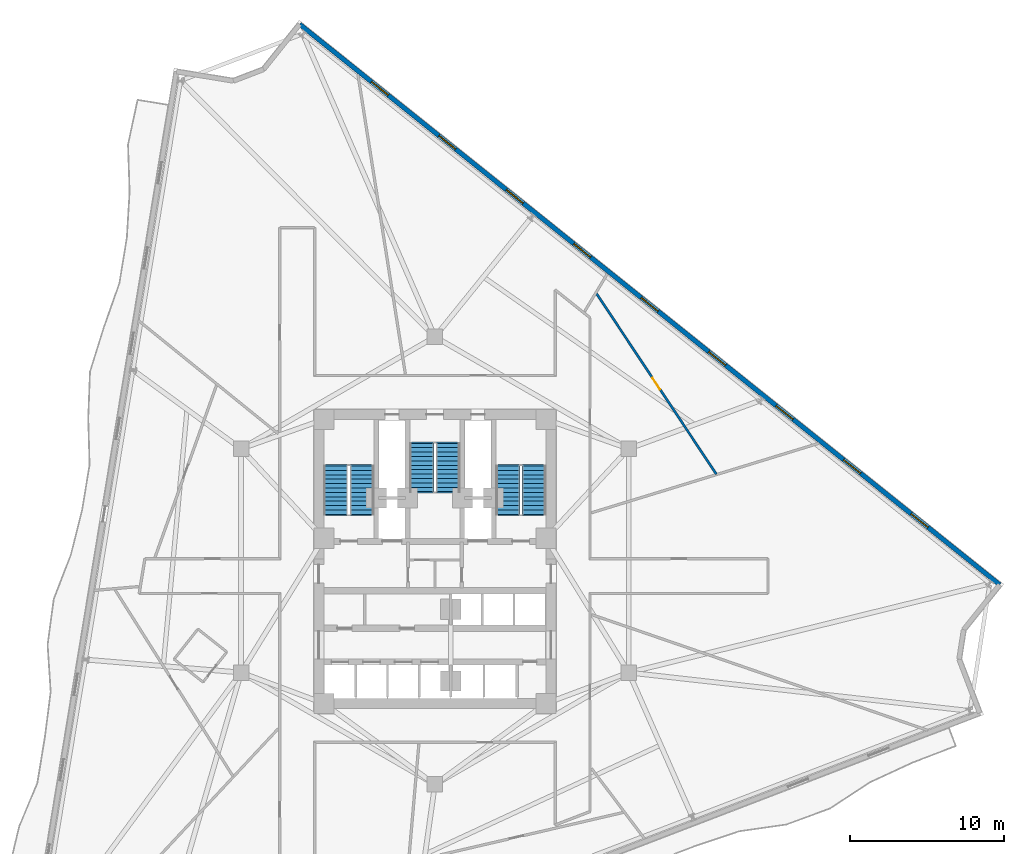
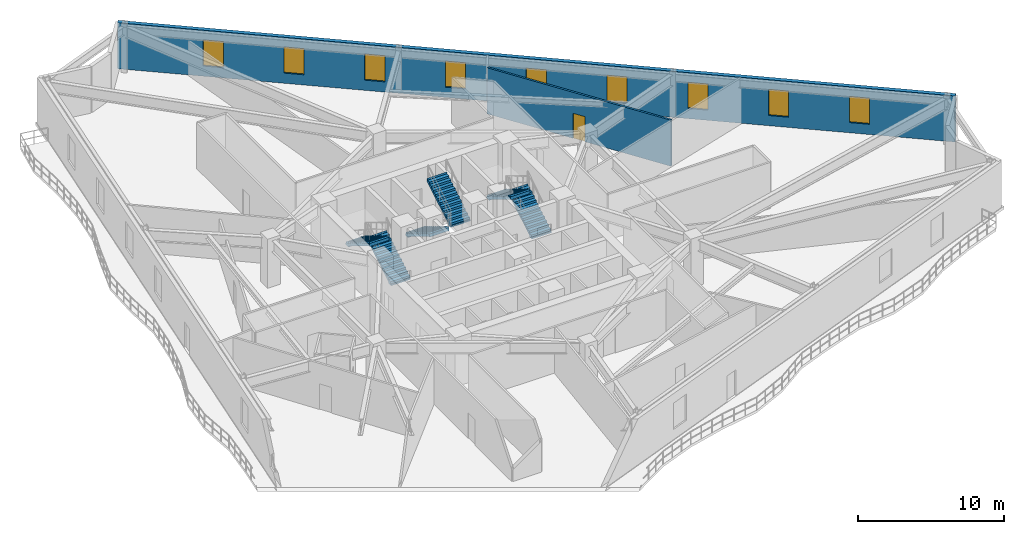
# One storey, part 7 of 10: 9 windows, 6 stair flights, 2 walls, 1 door, 10 openings, 3 elements without a shape of their own.
"""IFC4 building model written with IfcOpenShell, lengths in metres."""

from ifc_helpers import new_model, si_unit, direction, frame, frame_2d, origin, place, context, subcontext, project, spatial, polyline, rectangle, outline, extrude, material, layer, layer_set, type_object, element, fill, aggregate, save


model = new_model("IFC4")

# Units and contexts
model_context = context("Model", 3, precision=1e-05, world=origin(), true_north=direction((0.0, 1.0)))
body_context = subcontext(model_context, "Body", "Model", "MODEL_VIEW")
ifc_project = project(units=[si_unit("LENGTHUNIT", "METRE"), si_unit("AREAUNIT", "SQUARE_METRE"), si_unit("VOLUMEUNIT", "CUBIC_METRE"), si_unit("PLANEANGLEUNIT", "RADIAN"), si_unit("MASSUNIT", "GRAM", prefix="KILO")], contexts=[model_context])

# Site, building, storey
site_placement = place(None, origin())
site = spatial("IfcSite", under=ifc_project, at=site_placement, CompositionType="ELEMENT")
building_placement = place(site_placement, origin())
building = spatial("IfcBuilding", under=site, at=building_placement, Name="Apsidion Concourse Tower", CompositionType="ELEMENT")
storey_placement = place(building_placement, frame((0.0, 0.0, 144.5)))
storey = spatial("IfcBuildingStorey", under=building, at=storey_placement, Name="L33", CompositionType="ELEMENT", Elevation=144.5)

# Wall, openings, windows
ifc_material_1 = material(Name="Precast concrete C40/50", Category="concrete")
ifc_layer_1 = layer(ifc_material_1, 0.300048828125)
ifc_layer_set_1 = layer_set([ifc_layer_1], Name="Precast concrete C40/50")
wall_type_1 = type_object("IfcWallType", Name="WL-EXT-300", PredefinedType="STANDARD", material=ifc_layer_set_1)
wall_1_placement = place(storey_placement, frame((-8.76171875, 34.748291015625, 0.0), z_axis=(0.0, 0.0, 1.0), x_axis=(0.780669916438, -0.624943582708, 0.0)))
wall_1 = element("IfcWall", 1, at=wall_1_placement, inside=storey, type_object=wall_type_1, Name="L33 Precast Stone Facade Wall 01", PredefinedType="STANDARD", context=body_context, shape_type="SweptSolid", body=[
    extrude(rectangle(XDim=58.093017578125, YDim=0.300048828125, at=frame_2d((29.04638671875, 0.0))), origin(), (0.0, 0.0, 1.0), 3.85009765625),
])
opening_1_placement = place(wall_1_placement, frame((5.946533203125, 0.0, 0.85009765625)))
opening_1 = element("IfcOpeningElement", 2, at=opening_1_placement, cuts=wall_1, Name="Opening WN-05", PredefinedType="OPENING", context=body_context, shape_type="SweptSolid", body=[
    extrude(rectangle(XDim=1.39990234375, YDim=2.199951171875, at=frame_2d((0.699951171875, 1.10009765625))), frame((0.0, 0.16015625, 0.0), z_axis=(0.0, -1.0, 0.0), x_axis=(1.0, 0.0, 0.0)), (0.0, 0.0, 1.0), 0.320068359375),
])
opening_2_placement = place(wall_1_placement, frame((11.546630859375, 0.0, 0.85009765625)))
opening_2 = element("IfcOpeningElement", 3, at=opening_2_placement, cuts=wall_1, Name="Opening WN-05", PredefinedType="OPENING", context=body_context, shape_type="SweptSolid", body=[
    extrude(rectangle(XDim=1.39990234375, YDim=2.199951171875, at=frame_2d((0.699951171875, 1.10009765625))), frame((0.0, 0.16015625, 0.0), z_axis=(0.0, -1.0, 0.0), x_axis=(1.0, 0.0, 0.0)), (0.0, 0.0, 1.0), 0.320068359375),
])
opening_3_placement = place(wall_1_placement, frame((17.146484375, 0.0, 0.85009765625)))
opening_3 = element("IfcOpeningElement", 4, at=opening_3_placement, cuts=wall_1, Name="Opening WN-05", PredefinedType="OPENING", context=body_context, shape_type="SweptSolid", body=[
    extrude(rectangle(XDim=1.39990234375, YDim=2.199951171875, at=frame_2d((0.699951171875, 1.10009765625))), frame((0.0, 0.16015625, 0.0), z_axis=(0.0, -1.0, 0.0), x_axis=(1.0, 0.0, 0.0)), (0.0, 0.0, 1.0), 0.320068359375),
])
opening_4_placement = place(wall_1_placement, frame((22.74658203125, 0.0, 0.85009765625)))
opening_4 = element("IfcOpeningElement", 5, at=opening_4_placement, cuts=wall_1, Name="Opening WN-05", PredefinedType="OPENING", context=body_context, shape_type="SweptSolid", body=[
    extrude(rectangle(XDim=1.39990234375, YDim=2.199951171875, at=frame_2d((0.699951171875, 1.10009765625))), frame((0.0, 0.16015625, 0.0), z_axis=(0.0, -1.0, 0.0), x_axis=(1.0, 0.0, 0.0)), (0.0, 0.0, 1.0), 0.320068359375),
])
opening_5_placement = place(wall_1_placement, frame((28.3466796875, 0.0, 0.85009765625)))
opening_5 = element("IfcOpeningElement", 6, at=opening_5_placement, cuts=wall_1, Name="Opening WN-05", PredefinedType="OPENING", context=body_context, shape_type="SweptSolid", body=[
    extrude(rectangle(XDim=1.39990234375, YDim=2.199951171875, at=frame_2d((0.699951171875, 1.10009765625))), frame((0.0, 0.16015625, 0.0), z_axis=(0.0, -1.0, 0.0), x_axis=(1.0, 0.0, 0.0)), (0.0, 0.0, 1.0), 0.320068359375),
])
opening_6_placement = place(wall_1_placement, frame((33.946533203125, 0.0, 0.85009765625)))
opening_6 = element("IfcOpeningElement", 7, at=opening_6_placement, cuts=wall_1, Name="Opening WN-05", PredefinedType="OPENING", context=body_context, shape_type="SweptSolid", body=[
    extrude(rectangle(XDim=1.39990234375, YDim=2.199951171875, at=frame_2d((0.699951171875, 1.10009765625))), frame((0.0, 0.16015625, 0.0), z_axis=(0.0, -1.0, 0.0), x_axis=(1.0, 0.0, 0.0)), (0.0, 0.0, 1.0), 0.320068359375),
])
opening_7_placement = place(wall_1_placement, frame((39.546630859375, 0.0, 0.85009765625)))
opening_7 = element("IfcOpeningElement", 8, at=opening_7_placement, cuts=wall_1, Name="Opening WN-05", PredefinedType="OPENING", context=body_context, shape_type="SweptSolid", body=[
    extrude(rectangle(XDim=1.39990234375, YDim=2.199951171875, at=frame_2d((0.699951171875, 1.10009765625))), frame((0.0, 0.16015625, 0.0), z_axis=(0.0, -1.0, 0.0), x_axis=(1.0, 0.0, 0.0)), (0.0, 0.0, 1.0), 0.320068359375),
])
opening_8_placement = place(wall_1_placement, frame((45.146484375, 0.0, 0.85009765625)))
opening_8 = element("IfcOpeningElement", 9, at=opening_8_placement, cuts=wall_1, Name="Opening WN-05", PredefinedType="OPENING", context=body_context, shape_type="SweptSolid", body=[
    extrude(rectangle(XDim=1.39990234375, YDim=2.199951171875, at=frame_2d((0.699951171875, 1.10009765625))), frame((0.0, 0.16015625, 0.0), z_axis=(0.0, -1.0, 0.0), x_axis=(1.0, 0.0, 0.0)), (0.0, 0.0, 1.0), 0.320068359375),
])
opening_9_placement = place(wall_1_placement, frame((50.74658203125, 0.0, 0.85009765625)))
opening_9 = element("IfcOpeningElement", 10, at=opening_9_placement, cuts=wall_1, Name="Opening WN-05", PredefinedType="OPENING", context=body_context, shape_type="SweptSolid", body=[
    extrude(rectangle(XDim=1.39990234375, YDim=2.199951171875, at=frame_2d((0.699951171875, 1.10009765625))), frame((0.0, 0.16015625, 0.0), z_axis=(0.0, -1.0, 0.0), x_axis=(1.0, 0.0, 0.0)), (0.0, 0.0, 1.0), 0.320068359375),
])
ifc_material_2 = material(Name="Insulated laminated low-E glass", Category="glass")
window_type = type_object("IfcWindowType", Name="WN-OFF-1424", PartitioningType="SINGLE_PANEL", PredefinedType="WINDOW", material=ifc_material_2)
window_1_placement = place(opening_1_placement, origin())
window_1 = element("IfcWindow", 11, at=window_1_placement, inside=storey, type_object=window_type, Name="L33 Punched Facade Window 1-01", OverallHeight=2.199951171875, OverallWidth=1.39990234375, PartitioningType="SINGLE_PANEL", PredefinedType="WINDOW", context=body_context, shape_type="SweptSolid", body=[
    extrude(rectangle(XDim=1.39990234375, YDim=2.199951171875, at=frame_2d((0.699951171875, 1.10009765625))), frame((0.0, 0.030029296875, 0.0), z_axis=(0.0, -1.0, 0.0), x_axis=(1.0, 0.0, 0.0)), (0.0, 0.0, 1.0), 0.06005859375),
])
fill(opening_1, window_1)
window_2_placement = place(opening_2_placement, origin())
window_2 = element("IfcWindow", 12, at=window_2_placement, inside=storey, type_object=window_type, Name="L33 Punched Facade Window 1-02", OverallHeight=2.199951171875, OverallWidth=1.39990234375, PartitioningType="SINGLE_PANEL", PredefinedType="WINDOW", context=body_context, shape_type="SweptSolid", body=[
    extrude(rectangle(XDim=1.39990234375, YDim=2.199951171875, at=frame_2d((0.699951171875, 1.10009765625))), frame((0.0, 0.030029296875, 0.0), z_axis=(0.0, -1.0, 0.0), x_axis=(1.0, 0.0, 0.0)), (0.0, 0.0, 1.0), 0.06005859375),
])
fill(opening_2, window_2)
window_3_placement = place(opening_3_placement, origin())
window_3 = element("IfcWindow", 13, at=window_3_placement, inside=storey, type_object=window_type, Name="L33 Punched Facade Window 1-03", OverallHeight=2.199951171875, OverallWidth=1.39990234375, PartitioningType="SINGLE_PANEL", PredefinedType="WINDOW", context=body_context, shape_type="SweptSolid", body=[
    extrude(rectangle(XDim=1.39990234375, YDim=2.199951171875, at=frame_2d((0.699951171875, 1.10009765625))), frame((0.0, 0.030029296875, 0.0), z_axis=(0.0, -1.0, 0.0), x_axis=(1.0, 0.0, 0.0)), (0.0, 0.0, 1.0), 0.06005859375),
])
fill(opening_3, window_3)
window_4_placement = place(opening_4_placement, origin())
window_4 = element("IfcWindow", 14, at=window_4_placement, inside=storey, type_object=window_type, Name="L33 Punched Facade Window 1-04", OverallHeight=2.199951171875, OverallWidth=1.39990234375, PartitioningType="SINGLE_PANEL", PredefinedType="WINDOW", context=body_context, shape_type="SweptSolid", body=[
    extrude(rectangle(XDim=1.39990234375, YDim=2.199951171875, at=frame_2d((0.699951171875, 1.10009765625))), frame((0.0, 0.030029296875, 0.0), z_axis=(0.0, -1.0, 0.0), x_axis=(1.0, 0.0, 0.0)), (0.0, 0.0, 1.0), 0.06005859375),
])
fill(opening_4, window_4)
window_5_placement = place(opening_5_placement, origin())
window_5 = element("IfcWindow", 15, at=window_5_placement, inside=storey, type_object=window_type, Name="L33 Punched Facade Window 1-05", OverallHeight=2.199951171875, OverallWidth=1.39990234375, PartitioningType="SINGLE_PANEL", PredefinedType="WINDOW", context=body_context, shape_type="SweptSolid", body=[
    extrude(rectangle(XDim=1.39990234375, YDim=2.199951171875, at=frame_2d((0.699951171875, 1.10009765625))), frame((0.0, 0.030029296875, 0.0), z_axis=(0.0, -1.0, 0.0), x_axis=(1.0, 0.0, 0.0)), (0.0, 0.0, 1.0), 0.06005859375),
])
fill(opening_5, window_5)
window_6_placement = place(opening_6_placement, origin())
window_6 = element("IfcWindow", 16, at=window_6_placement, inside=storey, type_object=window_type, Name="L33 Punched Facade Window 1-06", OverallHeight=2.199951171875, OverallWidth=1.39990234375, PartitioningType="SINGLE_PANEL", PredefinedType="WINDOW", context=body_context, shape_type="SweptSolid", body=[
    extrude(rectangle(XDim=1.39990234375, YDim=2.199951171875, at=frame_2d((0.699951171875, 1.10009765625))), frame((0.0, 0.030029296875, 0.0), z_axis=(0.0, -1.0, 0.0), x_axis=(1.0, 0.0, 0.0)), (0.0, 0.0, 1.0), 0.06005859375),
])
fill(opening_6, window_6)
window_7_placement = place(opening_7_placement, origin())
window_7 = element("IfcWindow", 17, at=window_7_placement, inside=storey, type_object=window_type, Name="L33 Punched Facade Window 1-07", OverallHeight=2.199951171875, OverallWidth=1.39990234375, PartitioningType="SINGLE_PANEL", PredefinedType="WINDOW", context=body_context, shape_type="SweptSolid", body=[
    extrude(rectangle(XDim=1.39990234375, YDim=2.199951171875, at=frame_2d((0.699951171875, 1.10009765625))), frame((0.0, 0.030029296875, 0.0), z_axis=(0.0, -1.0, 0.0), x_axis=(1.0, 0.0, 0.0)), (0.0, 0.0, 1.0), 0.06005859375),
])
fill(opening_7, window_7)
window_8_placement = place(opening_8_placement, origin())
window_8 = element("IfcWindow", 18, at=window_8_placement, inside=storey, type_object=window_type, Name="L33 Punched Facade Window 1-08", OverallHeight=2.199951171875, OverallWidth=1.39990234375, PartitioningType="SINGLE_PANEL", PredefinedType="WINDOW", context=body_context, shape_type="SweptSolid", body=[
    extrude(rectangle(XDim=1.39990234375, YDim=2.199951171875, at=frame_2d((0.699951171875, 1.10009765625))), frame((0.0, 0.030029296875, 0.0), z_axis=(0.0, -1.0, 0.0), x_axis=(1.0, 0.0, 0.0)), (0.0, 0.0, 1.0), 0.06005859375),
])
fill(opening_8, window_8)
window_9_placement = place(opening_9_placement, origin())
window_9 = element("IfcWindow", 19, at=window_9_placement, inside=storey, type_object=window_type, Name="L33 Punched Facade Window 1-09", OverallHeight=2.199951171875, OverallWidth=1.39990234375, PartitioningType="SINGLE_PANEL", PredefinedType="WINDOW", context=body_context, shape_type="SweptSolid", body=[
    extrude(rectangle(XDim=1.39990234375, YDim=2.199951171875, at=frame_2d((0.699951171875, 1.10009765625))), frame((0.0, 0.030029296875, 0.0), z_axis=(0.0, -1.0, 0.0), x_axis=(1.0, 0.0, 0.0)), (0.0, 0.0, 1.0), 0.06005859375),
])
fill(opening_9, window_9)

# Wall, opening, door
ifc_material_3 = material(Name="Gypsum plasterboard partition")
ifc_layer_2 = layer(ifc_material_3, 0.14990234375)
ifc_layer_set_2 = layer_set([ifc_layer_2], Name="Gypsum plasterboard partition")
wall_type_2 = type_object("IfcWallType", Name="WL-INT-PAR-150", PredefinedType="PARTITIONING", material=ifc_layer_set_2)
wall_2_placement = place(storey_placement, frame((18.232666015625, 5.600341796875, 0.0), z_axis=(0.0, 0.0, 1.0), x_axis=(-0.552746716733, 0.833349306798, 0.0)))
wall_2 = element("IfcWall", 20, at=wall_2_placement, inside=storey, type_object=wall_type_2, Name="L33 Interior Partition WL-L33-CHD-OFS05", PredefinedType="PARTITIONING", context=body_context, shape_type="SweptSolid", body=[
    extrude(rectangle(XDim=14.08544921875, YDim=0.14990234375, at=frame_2d((7.042724609375, 0.0))), origin(), (0.0, 0.0, 1.0), 3.85009765625),
])
opening_10_placement = place(wall_2_placement, frame((6.592529296875, 0.0, 0.0)))
opening_10 = element("IfcOpeningElement", 21, at=opening_10_placement, cuts=wall_2, Name="Opening D-02R", PredefinedType="OPENING", context=body_context, shape_type="SweptSolid", body=[
    extrude(rectangle(XDim=0.89990234375, YDim=2.10009765625, at=frame_2d((0.449951171875, 1.050048828125))), frame((0.0, 0.0849609375, 0.0), z_axis=(0.0, -1.0, 0.0), x_axis=(1.0, 0.0, 0.0)), (0.0, 0.0, 1.0), 0.169921875),
])
ifc_material_4 = material(Name="Anodised aluminium EN AW-6063 T6", Category="aluminium")
door_type = type_object("IfcDoorType", Name="DR-INT-D02R", OperationType="SINGLE_SWING_RIGHT", PredefinedType="DOOR", material=ifc_material_4)
door_placement = place(opening_10_placement, origin())
door = element("IfcDoor", 22, at=door_placement, inside=storey, type_object=door_type, Name="L33 Suite Connecting Door OFS05", OperationType="SINGLE_SWING_RIGHT", OverallHeight=2.10009765625, OverallWidth=0.89990234375, PredefinedType="DOOR", context=body_context, shape_type="SweptSolid", body=[
    extrude(rectangle(XDim=0.89990234375, YDim=2.10009765625, at=frame_2d((0.449951171875, 1.050048828125))), frame((0.0, 0.02490234375, 0.0), z_axis=(0.0, -1.0, 0.0), x_axis=(1.0, 0.0, 0.0)), (0.0, 0.0, 1.0), 0.050048828125),
])
fill(opening_10, door)

# Stair, stair flights
stair_type = type_object("IfcStairType", Name="ST-DL-1550", PredefinedType="HALF_TURN_STAIR", material=ifc_material_1)
stair_1_placement = place(storey_placement, origin())
stair_1 = element("IfcStair", 23, at=stair_1_placement, inside=storey, type_object=stair_type, Name="L33 Protected Core Exit Stair ST1", PredefinedType="HALF_TURN_STAIR")
stair_flight_type = type_object("IfcStairFlightType", Name="SFL-RC-1550", PredefinedType="STRAIGHT", material=ifc_material_1)
stair_flight_1_placement = place(storey_placement, frame((-4.72509765625, 3.0, 0.0), z_axis=(0.0, 0.0, 1.0), x_axis=(0.0, 1.0, 0.0)))
stair_flight_1 = element("IfcStairFlight", 24, at=stair_flight_1_placement, type_object=stair_flight_type, Name="ST1 flight 1", NumberOfRisers=12, NumberOfTreads=11, PredefinedType="STRAIGHT", RiserHeight=0.170833333, TreadLength=0.285, context=body_context, shape_type="SweptSolid", body=[
    extrude(outline(polyline([(-0.080078125, -0.1123046875), (-0.080078125, 0.0), (0.0, 0.0), (0.0, 0.1708984375), (0.284912109375, 0.1708984375), (0.284912109375, 0.341552734375), (0.570068359375, 0.341552734375), (0.570068359375, 0.512451171875), (0.85498046875, 0.512451171875), (0.85498046875, 0.683349609375), (1.139892578125, 0.683349609375), (1.139892578125, 0.854248046875), (1.425048828125, 0.854248046875), (1.425048828125, 1.02490234375), (1.7099609375, 1.02490234375), (1.7099609375, 1.19580078125), (1.9951171875, 1.19580078125), (1.9951171875, 1.36669921875), (2.280029296875, 1.36669921875), (2.280029296875, 1.53759765625), (2.56494140625, 1.53759765625), (2.56494140625, 1.708251953125), (2.85009765625, 1.708251953125), (2.85009765625, 1.879150390625), (3.135009765625, 1.879150390625), (3.135009765625, 2.050048828125), (3.215087890625, 1.964599609375), (3.215087890625, 1.704345703125), (3.135009765625, 1.704345703125), (0.29150390625, 0.0), (0.29150390625, -0.1123046875), (-0.080078125, -0.1123046875)])), frame((0.0, 0.77490234375, 0.0), z_axis=(0.0, -1.0, 0.0), x_axis=(1.0, 0.0, 0.0)), (0.0, 0.0, 1.0), 1.550048828125),
])
stair_flight_2_placement = place(storey_placement, frame((-6.425048828125, 6.135009765625, 2.050048828125), z_axis=(0.0, 0.0, 1.0), x_axis=(0.0, -1.0, 0.0)))
stair_flight_2 = element("IfcStairFlight", 25, at=stair_flight_2_placement, type_object=stair_flight_type, Name="ST1 flight 2", NumberOfRisers=12, NumberOfTreads=11, PredefinedType="STRAIGHT", RiserHeight=0.170833333, TreadLength=0.285, context=body_context, shape_type="SweptSolid", body=[
    extrude(outline(polyline([(-0.080078125, -0.1123046875), (-0.080078125, 0.0), (0.0, 0.0), (0.0, 0.1708984375), (0.284912109375, 0.1708984375), (0.284912109375, 0.341552734375), (0.570068359375, 0.341552734375), (0.570068359375, 0.512451171875), (0.85498046875, 0.512451171875), (0.85498046875, 0.683349609375), (1.139892578125, 0.683349609375), (1.139892578125, 0.854248046875), (1.425048828125, 0.854248046875), (1.425048828125, 1.02490234375), (1.7099609375, 1.02490234375), (1.7099609375, 1.19580078125), (1.9951171875, 1.19580078125), (1.9951171875, 1.36669921875), (2.280029296875, 1.36669921875), (2.280029296875, 1.53759765625), (2.56494140625, 1.53759765625), (2.56494140625, 1.708251953125), (2.85009765625, 1.708251953125), (2.85009765625, 1.879150390625), (3.135009765625, 1.879150390625), (3.135009765625, 2.050048828125), (3.215087890625, 1.964599609375), (3.215087890625, 1.704345703125), (3.135009765625, 1.704345703125), (0.29150390625, 0.0), (0.29150390625, -0.1123046875), (-0.080078125, -0.1123046875)])), frame((0.0, 0.77490234375, 0.0), z_axis=(0.0, -1.0, 0.0), x_axis=(1.0, 0.0, 0.0)), (0.0, 0.0, 1.0), 1.550048828125),
])
aggregate(stair_1, [stair_flight_1, stair_flight_2])

stair_2_placement = place(storey_placement, origin())
stair_2 = element("IfcStair", 26, at=stair_2_placement, inside=storey, type_object=stair_type, Name="L33 Protected Core Exit Stair ST2", PredefinedType="HALF_TURN_STAIR")
stair_flight_3_placement = place(storey_placement, frame((6.425048828125, 3.0, 0.0), z_axis=(0.0, 0.0, 1.0), x_axis=(0.0, 1.0, 0.0)))
stair_flight_3 = element("IfcStairFlight", 27, at=stair_flight_3_placement, type_object=stair_flight_type, Name="ST2 flight 1", NumberOfRisers=12, NumberOfTreads=11, PredefinedType="STRAIGHT", RiserHeight=0.170833333, TreadLength=0.285, context=body_context, shape_type="SweptSolid", body=[
    extrude(outline(polyline([(-0.080078125, -0.1123046875), (-0.080078125, 0.0), (0.0, 0.0), (0.0, 0.1708984375), (0.284912109375, 0.1708984375), (0.284912109375, 0.341552734375), (0.570068359375, 0.341552734375), (0.570068359375, 0.512451171875), (0.85498046875, 0.512451171875), (0.85498046875, 0.683349609375), (1.139892578125, 0.683349609375), (1.139892578125, 0.854248046875), (1.425048828125, 0.854248046875), (1.425048828125, 1.02490234375), (1.7099609375, 1.02490234375), (1.7099609375, 1.19580078125), (1.9951171875, 1.19580078125), (1.9951171875, 1.36669921875), (2.280029296875, 1.36669921875), (2.280029296875, 1.53759765625), (2.56494140625, 1.53759765625), (2.56494140625, 1.708251953125), (2.85009765625, 1.708251953125), (2.85009765625, 1.879150390625), (3.135009765625, 1.879150390625), (3.135009765625, 2.050048828125), (3.215087890625, 1.964599609375), (3.215087890625, 1.704345703125), (3.135009765625, 1.704345703125), (0.29150390625, 0.0), (0.29150390625, -0.1123046875), (-0.080078125, -0.1123046875)])), frame((0.0, 0.77490234375, 0.0), z_axis=(0.0, -1.0, 0.0), x_axis=(1.0, 0.0, 0.0)), (0.0, 0.0, 1.0), 1.550048828125),
])
stair_flight_4_placement = place(storey_placement, frame((4.72509765625, 6.135009765625, 2.050048828125), z_axis=(0.0, 0.0, 1.0), x_axis=(0.0, -1.0, 0.0)))
stair_flight_4 = element("IfcStairFlight", 28, at=stair_flight_4_placement, type_object=stair_flight_type, Name="ST2 flight 2", NumberOfRisers=12, NumberOfTreads=11, PredefinedType="STRAIGHT", RiserHeight=0.170833333, TreadLength=0.285, context=body_context, shape_type="SweptSolid", body=[
    extrude(outline(polyline([(-0.080078125, -0.1123046875), (-0.080078125, 0.0), (0.0, 0.0), (0.0, 0.1708984375), (0.284912109375, 0.1708984375), (0.284912109375, 0.341552734375), (0.570068359375, 0.341552734375), (0.570068359375, 0.512451171875), (0.85498046875, 0.512451171875), (0.85498046875, 0.683349609375), (1.139892578125, 0.683349609375), (1.139892578125, 0.854248046875), (1.425048828125, 0.854248046875), (1.425048828125, 1.02490234375), (1.7099609375, 1.02490234375), (1.7099609375, 1.19580078125), (1.9951171875, 1.19580078125), (1.9951171875, 1.36669921875), (2.280029296875, 1.36669921875), (2.280029296875, 1.53759765625), (2.56494140625, 1.53759765625), (2.56494140625, 1.708251953125), (2.85009765625, 1.708251953125), (2.85009765625, 1.879150390625), (3.135009765625, 1.879150390625), (3.135009765625, 2.050048828125), (3.215087890625, 1.964599609375), (3.215087890625, 1.704345703125), (3.135009765625, 1.704345703125), (0.29150390625, 0.0), (0.29150390625, -0.1123046875), (-0.080078125, -0.1123046875)])), frame((0.0, 0.77490234375, 0.0), z_axis=(0.0, -1.0, 0.0), x_axis=(1.0, 0.0, 0.0)), (0.0, 0.0, 1.0), 1.550048828125),
])
aggregate(stair_2, [stair_flight_3, stair_flight_4])

stair_3_placement = place(storey_placement, origin())
stair_3 = element("IfcStair", 29, at=stair_3_placement, inside=storey, type_object=stair_type, Name="L33 Protected Core Exit Stair ST3", PredefinedType="HALF_TURN_STAIR")
stair_flight_5_placement = place(storey_placement, frame((-0.85009765625, 7.60009765625, 0.0), z_axis=(0.0, 0.0, 1.0), x_axis=(0.0, -1.0, 0.0)))
stair_flight_5 = element("IfcStairFlight", 30, at=stair_flight_5_placement, type_object=stair_flight_type, Name="ST3 flight 1", NumberOfRisers=12, NumberOfTreads=11, PredefinedType="STRAIGHT", RiserHeight=0.170833333, TreadLength=0.285, context=body_context, shape_type="SweptSolid", body=[
    extrude(outline(polyline([(-0.080078125, -0.1123046875), (-0.080078125, 0.0), (0.0, 0.0), (0.0, 0.1708984375), (0.284912109375, 0.1708984375), (0.284912109375, 0.341552734375), (0.570068359375, 0.341552734375), (0.570068359375, 0.512451171875), (0.85498046875, 0.512451171875), (0.85498046875, 0.683349609375), (1.139892578125, 0.683349609375), (1.139892578125, 0.854248046875), (1.425048828125, 0.854248046875), (1.425048828125, 1.02490234375), (1.7099609375, 1.02490234375), (1.7099609375, 1.19580078125), (1.9951171875, 1.19580078125), (1.9951171875, 1.36669921875), (2.280029296875, 1.36669921875), (2.280029296875, 1.53759765625), (2.56494140625, 1.53759765625), (2.56494140625, 1.708251953125), (2.85009765625, 1.708251953125), (2.85009765625, 1.879150390625), (3.135009765625, 1.879150390625), (3.135009765625, 2.050048828125), (3.215087890625, 1.964599609375), (3.215087890625, 1.704345703125), (3.135009765625, 1.704345703125), (0.29150390625, 0.0), (0.29150390625, -0.1123046875), (-0.080078125, -0.1123046875)])), frame((0.0, 0.77490234375, 0.0), z_axis=(0.0, -1.0, 0.0), x_axis=(1.0, 0.0, 0.0)), (0.0, 0.0, 1.0), 1.550048828125),
])
stair_flight_6_placement = place(storey_placement, frame((0.85009765625, 4.465087890625, 2.050048828125), z_axis=(0.0, 0.0, 1.0), x_axis=(0.0, 1.0, 0.0)))
stair_flight_6 = element("IfcStairFlight", 31, at=stair_flight_6_placement, type_object=stair_flight_type, Name="ST3 flight 2", NumberOfRisers=12, NumberOfTreads=11, PredefinedType="STRAIGHT", RiserHeight=0.170833333, TreadLength=0.285, context=body_context, shape_type="SweptSolid", body=[
    extrude(outline(polyline([(-0.080078125, -0.1123046875), (-0.080078125, 0.0), (0.0, 0.0), (0.0, 0.1708984375), (0.284912109375, 0.1708984375), (0.284912109375, 0.341552734375), (0.570068359375, 0.341552734375), (0.570068359375, 0.512451171875), (0.85498046875, 0.512451171875), (0.85498046875, 0.683349609375), (1.139892578125, 0.683349609375), (1.139892578125, 0.854248046875), (1.425048828125, 0.854248046875), (1.425048828125, 1.02490234375), (1.7099609375, 1.02490234375), (1.7099609375, 1.19580078125), (1.9951171875, 1.19580078125), (1.9951171875, 1.36669921875), (2.280029296875, 1.36669921875), (2.280029296875, 1.53759765625), (2.56494140625, 1.53759765625), (2.56494140625, 1.708251953125), (2.85009765625, 1.708251953125), (2.85009765625, 1.879150390625), (3.135009765625, 1.879150390625), (3.135009765625, 2.050048828125), (3.215087890625, 1.964599609375), (3.215087890625, 1.704345703125), (3.135009765625, 1.704345703125), (0.29150390625, 0.0), (0.29150390625, -0.1123046875), (-0.080078125, -0.1123046875)])), frame((0.0, 0.77490234375, 0.0), z_axis=(0.0, -1.0, 0.0), x_axis=(1.0, 0.0, 0.0)), (0.0, 0.0, 1.0), 1.550048828125),
])
aggregate(stair_3, [stair_flight_5, stair_flight_6])

save(model, "model.ifc")
